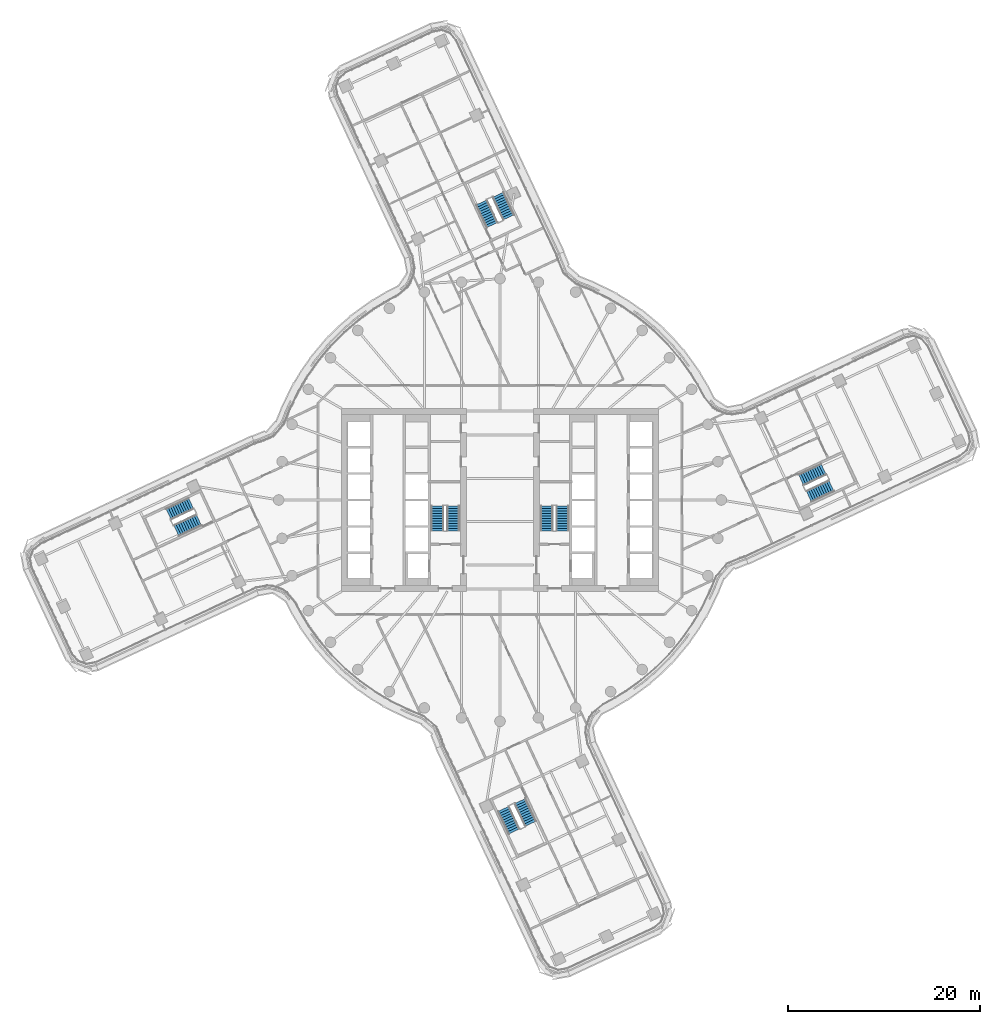
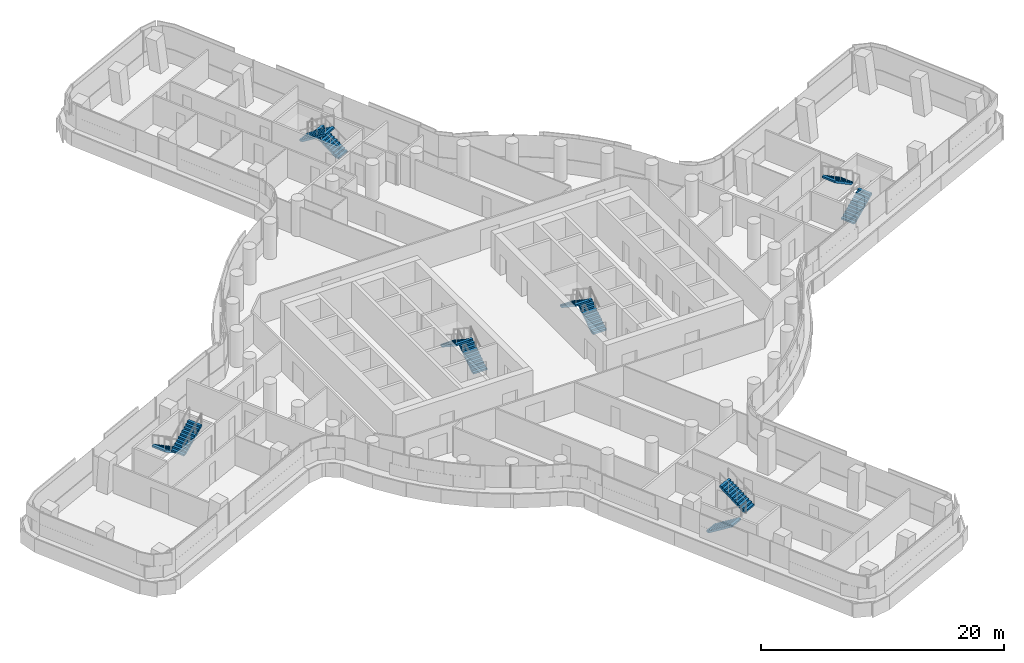
# One storey, part 28 of 36: 12 stair flights, 6 elements without a shape of their own.
"""IFC4 building model written with IfcOpenShell, lengths in metres."""

from ifc_helpers import new_model, si_unit, direction, frame, origin, place, context, subcontext, project, spatial, polyline, outline, extrude, material, type_object, element, aggregate, save


model = new_model("IFC4")

# Units and contexts
model_context = context("Model", 3, precision=1e-05, world=origin(), true_north=direction((0.0, 1.0)))
body_context = subcontext(model_context, "Body", "Model", "MODEL_VIEW")
ifc_project = project(units=[si_unit("LENGTHUNIT", "METRE"), si_unit("AREAUNIT", "SQUARE_METRE"), si_unit("VOLUMEUNIT", "CUBIC_METRE"), si_unit("PLANEANGLEUNIT", "RADIAN"), si_unit("MASSUNIT", "GRAM", prefix="KILO")], contexts=[model_context])

# Site, building, storey
site_placement = place(None, origin())
site = spatial("IfcSite", under=ifc_project, at=site_placement, CompositionType="ELEMENT")
building_placement = place(site_placement, origin())
building = spatial("IfcBuilding", under=site, at=building_placement, Name="Tamarind Cross Interchange Tower", CompositionType="ELEMENT")
storey_placement = place(building_placement, frame((0.0, 0.0, 124.75)))
storey = spatial("IfcBuildingStorey", under=building, at=storey_placement, Name="L30", CompositionType="ELEMENT", Elevation=124.75)

# Stair, stair flights
ifc_material_1 = material(Name="Exit stair")
stair_type = type_object("IfcStairType", Name="Exit stair", PredefinedType="HALF_TURN_STAIR", material=ifc_material_1)
stair_1_placement = place(storey_placement, origin())
stair_1 = element("IfcStair", 1, at=stair_1_placement, inside=storey, type_object=stair_type, Name="L30 exit stair ST1", PredefinedType="HALF_TURN_STAIR")
ifc_material_2 = material(Name="Exit stair flight")
stair_flight_type = type_object("IfcStairFlightType", Name="Exit stair flight", PredefinedType="STRAIGHT", material=ifc_material_2)
stair_flight_1_placement = place(storey_placement, frame((-4.85009765625, -3.199951171875, 0.0), z_axis=(0.0, 0.0, 1.0), x_axis=(0.0, 1.0, 0.0)))
stair_flight_1 = element("IfcStairFlight", 2, at=stair_flight_1_placement, type_object=stair_flight_type, Name="ST1 flight 1", NumberOfRisers=11, NumberOfTreads=10, PredefinedType="STRAIGHT", RiserHeight=0.170454545, TreadLength=0.26, context=body_context, shape_type="SweptSolid", body=[
    extrude(outline(polyline([(0.0, 0.0), (0.0, 0.17041015625), (0.260009765625, 0.17041015625), (0.260009765625, 0.3408203125), (0.52001953125, 0.3408203125), (0.52001953125, 0.511474609375), (0.780029296875, 0.511474609375), (0.780029296875, 0.681884765625), (1.0400390625, 0.681884765625), (1.0400390625, 0.852294921875), (1.300048828125, 0.852294921875), (1.300048828125, 1.022705078125), (1.56005859375, 1.022705078125), (1.56005859375, 1.193115234375), (1.820068359375, 1.193115234375), (1.820068359375, 1.363525390625), (2.080078125, 1.363525390625), (2.080078125, 1.5341796875), (2.340087890625, 1.5341796875), (2.340087890625, 1.70458984375), (2.60009765625, 1.70458984375), (2.60009765625, 1.875), (2.60009765625, 1.525390625), (0.2734375, 0.0), (0.0, 0.0)])), frame((0.0, 0.64990234375, 0.0), z_axis=(0.0, -1.0, 0.0), x_axis=(1.0, 0.0, 0.0)), (0.0, 0.0, 1.0), 1.300048828125),
])
stair_flight_2_placement = place(storey_placement, frame((-6.5, -0.60009765625, 1.875), z_axis=(0.0, 0.0, 1.0), x_axis=(0.0, -1.0, 0.0)))
stair_flight_2 = element("IfcStairFlight", 3, at=stair_flight_2_placement, type_object=stair_flight_type, Name="ST1 flight 2", NumberOfRisers=11, NumberOfTreads=10, PredefinedType="STRAIGHT", RiserHeight=0.170454545, TreadLength=0.26, context=body_context, shape_type="SweptSolid", body=[
    extrude(outline(polyline([(0.0, 0.0), (0.0, 0.17041015625), (0.260009765625, 0.17041015625), (0.260009765625, 0.3408203125), (0.52001953125, 0.3408203125), (0.52001953125, 0.511474609375), (0.780029296875, 0.511474609375), (0.780029296875, 0.681884765625), (1.0400390625, 0.681884765625), (1.0400390625, 0.852294921875), (1.300048828125, 0.852294921875), (1.300048828125, 1.022705078125), (1.56005859375, 1.022705078125), (1.56005859375, 1.193115234375), (1.820068359375, 1.193115234375), (1.820068359375, 1.363525390625), (2.080078125, 1.363525390625), (2.080078125, 1.5341796875), (2.340087890625, 1.5341796875), (2.340087890625, 1.70458984375), (2.60009765625, 1.70458984375), (2.60009765625, 1.875), (2.60009765625, 1.525390625), (0.2734375, 0.0), (0.0, 0.0)])), frame((0.0, 0.64990234375, 0.0), z_axis=(0.0, -1.0, 0.0), x_axis=(1.0, 0.0, 0.0)), (0.0, 0.0, 1.0), 1.300048828125),
])
aggregate(stair_1, [stair_flight_1, stair_flight_2])

stair_2_placement = place(storey_placement, origin())
stair_2 = element("IfcStair", 4, at=stair_2_placement, inside=storey, type_object=stair_type, Name="L30 exit stair ST2", PredefinedType="HALF_TURN_STAIR")
stair_flight_3_placement = place(storey_placement, frame((6.5, -3.199951171875, 0.0), z_axis=(0.0, 0.0, 1.0), x_axis=(0.0, 1.0, 0.0)))
stair_flight_3 = element("IfcStairFlight", 5, at=stair_flight_3_placement, type_object=stair_flight_type, Name="ST2 flight 1", NumberOfRisers=11, NumberOfTreads=10, PredefinedType="STRAIGHT", RiserHeight=0.170454545, TreadLength=0.26, context=body_context, shape_type="SweptSolid", body=[
    extrude(outline(polyline([(0.0, 0.0), (0.0, 0.17041015625), (0.260009765625, 0.17041015625), (0.260009765625, 0.3408203125), (0.52001953125, 0.3408203125), (0.52001953125, 0.511474609375), (0.780029296875, 0.511474609375), (0.780029296875, 0.681884765625), (1.0400390625, 0.681884765625), (1.0400390625, 0.852294921875), (1.300048828125, 0.852294921875), (1.300048828125, 1.022705078125), (1.56005859375, 1.022705078125), (1.56005859375, 1.193115234375), (1.820068359375, 1.193115234375), (1.820068359375, 1.363525390625), (2.080078125, 1.363525390625), (2.080078125, 1.5341796875), (2.340087890625, 1.5341796875), (2.340087890625, 1.70458984375), (2.60009765625, 1.70458984375), (2.60009765625, 1.875), (2.60009765625, 1.525390625), (0.2734375, 0.0), (0.0, 0.0)])), frame((0.0, 0.64990234375, 0.0), z_axis=(0.0, -1.0, 0.0), x_axis=(1.0, 0.0, 0.0)), (0.0, 0.0, 1.0), 1.300048828125),
])
stair_flight_4_placement = place(storey_placement, frame((4.85009765625, -0.60009765625, 1.875), z_axis=(0.0, 0.0, 1.0), x_axis=(0.0, -1.0, 0.0)))
stair_flight_4 = element("IfcStairFlight", 6, at=stair_flight_4_placement, type_object=stair_flight_type, Name="ST2 flight 2", NumberOfRisers=11, NumberOfTreads=10, PredefinedType="STRAIGHT", RiserHeight=0.170454545, TreadLength=0.26, context=body_context, shape_type="SweptSolid", body=[
    extrude(outline(polyline([(0.0, 0.0), (0.0, 0.17041015625), (0.260009765625, 0.17041015625), (0.260009765625, 0.3408203125), (0.52001953125, 0.3408203125), (0.52001953125, 0.511474609375), (0.780029296875, 0.511474609375), (0.780029296875, 0.681884765625), (1.0400390625, 0.681884765625), (1.0400390625, 0.852294921875), (1.300048828125, 0.852294921875), (1.300048828125, 1.022705078125), (1.56005859375, 1.022705078125), (1.56005859375, 1.193115234375), (1.820068359375, 1.193115234375), (1.820068359375, 1.363525390625), (2.080078125, 1.363525390625), (2.080078125, 1.5341796875), (2.340087890625, 1.5341796875), (2.340087890625, 1.70458984375), (2.60009765625, 1.70458984375), (2.60009765625, 1.875), (2.60009765625, 1.525390625), (0.2734375, 0.0), (0.0, 0.0)])), frame((0.0, 0.64990234375, 0.0), z_axis=(0.0, -1.0, 0.0), x_axis=(1.0, 0.0, 0.0)), (0.0, 0.0, 1.0), 1.300048828125),
])
aggregate(stair_2, [stair_flight_3, stair_flight_4])

stair_3_placement = place(storey_placement, origin())
stair_3 = element("IfcStair", 7, at=stair_3_placement, inside=storey, type_object=stair_type, Name="L30 exit stair ST3", PredefinedType="HALF_TURN_STAIR")
stair_flight_5_placement = place(storey_placement, frame((32.09765625, 0.36376953125, 0.0), z_axis=(0.0, 0.0, 1.0), x_axis=(0.905752325355, 0.423807415123, 0.0)))
stair_flight_5 = element("IfcStairFlight", 8, at=stair_flight_5_placement, type_object=stair_flight_type, Name="ST3 flight 1", NumberOfRisers=11, NumberOfTreads=10, PredefinedType="STRAIGHT", RiserHeight=0.170454545, TreadLength=0.26, context=body_context, shape_type="SweptSolid", body=[
    extrude(outline(polyline([(0.0, 0.0), (0.0, 0.17041015625), (0.260009765625, 0.17041015625), (0.260009765625, 0.3408203125), (0.52001953125, 0.3408203125), (0.52001953125, 0.511474609375), (0.780029296875, 0.511474609375), (0.780029296875, 0.681884765625), (1.0400390625, 0.681884765625), (1.0400390625, 0.852294921875), (1.300048828125, 0.852294921875), (1.300048828125, 1.022705078125), (1.56005859375, 1.022705078125), (1.56005859375, 1.193115234375), (1.820068359375, 1.193115234375), (1.820068359375, 1.363525390625), (2.080078125, 1.363525390625), (2.080078125, 1.5341796875), (2.340087890625, 1.5341796875), (2.340087890625, 1.70458984375), (2.60009765625, 1.70458984375), (2.60009765625, 1.875), (2.60009765625, 1.525390625), (0.2734375, 0.0), (0.0, 0.0)])), frame((0.0, 0.64990234375, 0.0), z_axis=(0.0, -1.0, 0.0), x_axis=(1.0, 0.0, 0.0)), (0.0, 0.0, 1.0), 1.300048828125),
])
stair_flight_6_placement = place(storey_placement, frame((33.647216796875, 3.1865234375, 1.875), z_axis=(0.0, 0.0, 1.0), x_axis=(-0.905752325355, -0.423807415123, 0.0)))
stair_flight_6 = element("IfcStairFlight", 9, at=stair_flight_6_placement, type_object=stair_flight_type, Name="ST3 flight 2", NumberOfRisers=11, NumberOfTreads=10, PredefinedType="STRAIGHT", RiserHeight=0.170454545, TreadLength=0.26, context=body_context, shape_type="SweptSolid", body=[
    extrude(outline(polyline([(0.0, 0.0), (0.0, 0.17041015625), (0.260009765625, 0.17041015625), (0.260009765625, 0.3408203125), (0.52001953125, 0.3408203125), (0.52001953125, 0.511474609375), (0.780029296875, 0.511474609375), (0.780029296875, 0.681884765625), (1.0400390625, 0.681884765625), (1.0400390625, 0.852294921875), (1.300048828125, 0.852294921875), (1.300048828125, 1.022705078125), (1.56005859375, 1.022705078125), (1.56005859375, 1.193115234375), (1.820068359375, 1.193115234375), (1.820068359375, 1.363525390625), (2.080078125, 1.363525390625), (2.080078125, 1.5341796875), (2.340087890625, 1.5341796875), (2.340087890625, 1.70458984375), (2.60009765625, 1.70458984375), (2.60009765625, 1.875), (2.60009765625, 1.525390625), (0.2734375, 0.0), (0.0, 0.0)])), frame((0.0, 0.64990234375, 0.0), z_axis=(0.0, -1.0, 0.0), x_axis=(1.0, 0.0, 0.0)), (0.0, 0.0, 1.0), 1.300048828125),
])
aggregate(stair_3, [stair_flight_5, stair_flight_6])

stair_4_placement = place(storey_placement, origin())
stair_4 = element("IfcStair", 10, at=stair_4_placement, inside=storey, type_object=stair_type, Name="L30 exit stair ST4", PredefinedType="HALF_TURN_STAIR")
stair_flight_7_placement = place(storey_placement, frame((0.90771484375, 29.38037109375, 0.0), z_axis=(0.0, 0.0, 1.0), x_axis=(-0.423807415123, 0.905752325355, 0.0)))
stair_flight_7 = element("IfcStairFlight", 11, at=stair_flight_7_placement, type_object=stair_flight_type, Name="ST4 flight 1", NumberOfRisers=11, NumberOfTreads=10, PredefinedType="STRAIGHT", RiserHeight=0.170454545, TreadLength=0.26, context=body_context, shape_type="SweptSolid", body=[
    extrude(outline(polyline([(0.0, 0.0), (0.0, 0.17041015625), (0.260009765625, 0.17041015625), (0.260009765625, 0.3408203125), (0.52001953125, 0.3408203125), (0.52001953125, 0.511474609375), (0.780029296875, 0.511474609375), (0.780029296875, 0.681884765625), (1.0400390625, 0.681884765625), (1.0400390625, 0.852294921875), (1.300048828125, 0.852294921875), (1.300048828125, 1.022705078125), (1.56005859375, 1.022705078125), (1.56005859375, 1.193115234375), (1.820068359375, 1.193115234375), (1.820068359375, 1.363525390625), (2.080078125, 1.363525390625), (2.080078125, 1.5341796875), (2.340087890625, 1.5341796875), (2.340087890625, 1.70458984375), (2.60009765625, 1.70458984375), (2.60009765625, 1.875), (2.60009765625, 1.525390625), (0.2734375, 0.0), (0.0, 0.0)])), frame((0.0, 0.64990234375, 0.0), z_axis=(0.0, -1.0, 0.0), x_axis=(1.0, 0.0, 0.0)), (0.0, 0.0, 1.0), 1.300048828125),
])
stair_flight_8_placement = place(storey_placement, frame((-1.9150390625, 30.929931640625, 1.875), z_axis=(0.0, 0.0, 1.0), x_axis=(0.423807415123, -0.905752325355, 0.0)))
stair_flight_8 = element("IfcStairFlight", 12, at=stair_flight_8_placement, type_object=stair_flight_type, Name="ST4 flight 2", NumberOfRisers=11, NumberOfTreads=10, PredefinedType="STRAIGHT", RiserHeight=0.170454545, TreadLength=0.26, context=body_context, shape_type="SweptSolid", body=[
    extrude(outline(polyline([(0.0, 0.0), (0.0, 0.17041015625), (0.260009765625, 0.17041015625), (0.260009765625, 0.3408203125), (0.52001953125, 0.3408203125), (0.52001953125, 0.511474609375), (0.780029296875, 0.511474609375), (0.780029296875, 0.681884765625), (1.0400390625, 0.681884765625), (1.0400390625, 0.852294921875), (1.300048828125, 0.852294921875), (1.300048828125, 1.022705078125), (1.56005859375, 1.022705078125), (1.56005859375, 1.193115234375), (1.820068359375, 1.193115234375), (1.820068359375, 1.363525390625), (2.080078125, 1.363525390625), (2.080078125, 1.5341796875), (2.340087890625, 1.5341796875), (2.340087890625, 1.70458984375), (2.60009765625, 1.70458984375), (2.60009765625, 1.875), (2.60009765625, 1.525390625), (0.2734375, 0.0), (0.0, 0.0)])), frame((0.0, 0.64990234375, 0.0), z_axis=(0.0, -1.0, 0.0), x_axis=(1.0, 0.0, 0.0)), (0.0, 0.0, 1.0), 1.300048828125),
])
aggregate(stair_4, [stair_flight_7, stair_flight_8])

stair_5_placement = place(storey_placement, origin())
stair_5 = element("IfcStair", 13, at=stair_5_placement, inside=storey, type_object=stair_type, Name="L30 exit stair ST5", PredefinedType="HALF_TURN_STAIR")
stair_flight_9_placement = place(storey_placement, frame((-32.09765625, -0.36376953125, 0.0), z_axis=(0.0, 0.0, 1.0), x_axis=(-0.905752325355, -0.423807415123, 0.0)))
stair_flight_9 = element("IfcStairFlight", 14, at=stair_flight_9_placement, type_object=stair_flight_type, Name="ST5 flight 1", NumberOfRisers=11, NumberOfTreads=10, PredefinedType="STRAIGHT", RiserHeight=0.170454545, TreadLength=0.26, context=body_context, shape_type="SweptSolid", body=[
    extrude(outline(polyline([(0.0, 0.0), (0.0, 0.17041015625), (0.260009765625, 0.17041015625), (0.260009765625, 0.3408203125), (0.52001953125, 0.3408203125), (0.52001953125, 0.511474609375), (0.780029296875, 0.511474609375), (0.780029296875, 0.681884765625), (1.0400390625, 0.681884765625), (1.0400390625, 0.852294921875), (1.300048828125, 0.852294921875), (1.300048828125, 1.022705078125), (1.56005859375, 1.022705078125), (1.56005859375, 1.193115234375), (1.820068359375, 1.193115234375), (1.820068359375, 1.363525390625), (2.080078125, 1.363525390625), (2.080078125, 1.5341796875), (2.340087890625, 1.5341796875), (2.340087890625, 1.70458984375), (2.60009765625, 1.70458984375), (2.60009765625, 1.875), (2.60009765625, 1.525390625), (0.2734375, 0.0), (0.0, 0.0)])), frame((0.0, 0.64990234375, 0.0), z_axis=(0.0, -1.0, 0.0), x_axis=(1.0, 0.0, 0.0)), (0.0, 0.0, 1.0), 1.300048828125),
])
stair_flight_10_placement = place(storey_placement, frame((-33.647216796875, -3.1865234375, 1.875), z_axis=(0.0, 0.0, 1.0), x_axis=(0.905752325355, 0.423807415123, 0.0)))
stair_flight_10 = element("IfcStairFlight", 15, at=stair_flight_10_placement, type_object=stair_flight_type, Name="ST5 flight 2", NumberOfRisers=11, NumberOfTreads=10, PredefinedType="STRAIGHT", RiserHeight=0.170454545, TreadLength=0.26, context=body_context, shape_type="SweptSolid", body=[
    extrude(outline(polyline([(0.0, 0.0), (0.0, 0.17041015625), (0.260009765625, 0.17041015625), (0.260009765625, 0.3408203125), (0.52001953125, 0.3408203125), (0.52001953125, 0.511474609375), (0.780029296875, 0.511474609375), (0.780029296875, 0.681884765625), (1.0400390625, 0.681884765625), (1.0400390625, 0.852294921875), (1.300048828125, 0.852294921875), (1.300048828125, 1.022705078125), (1.56005859375, 1.022705078125), (1.56005859375, 1.193115234375), (1.820068359375, 1.193115234375), (1.820068359375, 1.363525390625), (2.080078125, 1.363525390625), (2.080078125, 1.5341796875), (2.340087890625, 1.5341796875), (2.340087890625, 1.70458984375), (2.60009765625, 1.70458984375), (2.60009765625, 1.875), (2.60009765625, 1.525390625), (0.2734375, 0.0), (0.0, 0.0)])), frame((0.0, 0.64990234375, 0.0), z_axis=(0.0, -1.0, 0.0), x_axis=(1.0, 0.0, 0.0)), (0.0, 0.0, 1.0), 1.300048828125),
])
aggregate(stair_5, [stair_flight_9, stair_flight_10])

stair_6_placement = place(storey_placement, origin())
stair_6 = element("IfcStair", 16, at=stair_6_placement, inside=storey, type_object=stair_type, Name="L30 exit stair ST6", PredefinedType="HALF_TURN_STAIR")
stair_flight_11_placement = place(storey_placement, frame((0.36376953125, -32.09765625, 0.0), z_axis=(0.0, 0.0, 1.0), x_axis=(0.423807415123, -0.905752325355, 0.0)))
stair_flight_11 = element("IfcStairFlight", 17, at=stair_flight_11_placement, type_object=stair_flight_type, Name="ST6 flight 1", NumberOfRisers=11, NumberOfTreads=10, PredefinedType="STRAIGHT", RiserHeight=0.170454545, TreadLength=0.26, context=body_context, shape_type="SweptSolid", body=[
    extrude(outline(polyline([(0.0, 0.0), (0.0, 0.17041015625), (0.260009765625, 0.17041015625), (0.260009765625, 0.3408203125), (0.52001953125, 0.3408203125), (0.52001953125, 0.511474609375), (0.780029296875, 0.511474609375), (0.780029296875, 0.681884765625), (1.0400390625, 0.681884765625), (1.0400390625, 0.852294921875), (1.300048828125, 0.852294921875), (1.300048828125, 1.022705078125), (1.56005859375, 1.022705078125), (1.56005859375, 1.193115234375), (1.820068359375, 1.193115234375), (1.820068359375, 1.363525390625), (2.080078125, 1.363525390625), (2.080078125, 1.5341796875), (2.340087890625, 1.5341796875), (2.340087890625, 1.70458984375), (2.60009765625, 1.70458984375), (2.60009765625, 1.875), (2.60009765625, 1.525390625), (0.2734375, 0.0), (0.0, 0.0)])), frame((0.0, 0.64990234375, 0.0), z_axis=(0.0, -1.0, 0.0), x_axis=(1.0, 0.0, 0.0)), (0.0, 0.0, 1.0), 1.300048828125),
])
stair_flight_12_placement = place(storey_placement, frame((3.1865234375, -33.647216796875, 1.875), z_axis=(0.0, 0.0, 1.0), x_axis=(-0.423807415123, 0.905752325355, 0.0)))
stair_flight_12 = element("IfcStairFlight", 18, at=stair_flight_12_placement, type_object=stair_flight_type, Name="ST6 flight 2", NumberOfRisers=11, NumberOfTreads=10, PredefinedType="STRAIGHT", RiserHeight=0.170454545, TreadLength=0.26, context=body_context, shape_type="SweptSolid", body=[
    extrude(outline(polyline([(0.0, 0.0), (0.0, 0.17041015625), (0.260009765625, 0.17041015625), (0.260009765625, 0.3408203125), (0.52001953125, 0.3408203125), (0.52001953125, 0.511474609375), (0.780029296875, 0.511474609375), (0.780029296875, 0.681884765625), (1.0400390625, 0.681884765625), (1.0400390625, 0.852294921875), (1.300048828125, 0.852294921875), (1.300048828125, 1.022705078125), (1.56005859375, 1.022705078125), (1.56005859375, 1.193115234375), (1.820068359375, 1.193115234375), (1.820068359375, 1.363525390625), (2.080078125, 1.363525390625), (2.080078125, 1.5341796875), (2.340087890625, 1.5341796875), (2.340087890625, 1.70458984375), (2.60009765625, 1.70458984375), (2.60009765625, 1.875), (2.60009765625, 1.525390625), (0.2734375, 0.0), (0.0, 0.0)])), frame((0.0, 0.64990234375, 0.0), z_axis=(0.0, -1.0, 0.0), x_axis=(1.0, 0.0, 0.0)), (0.0, 0.0, 1.0), 1.300048828125),
])
aggregate(stair_6, [stair_flight_11, stair_flight_12])

save(model, "model.ifc")
